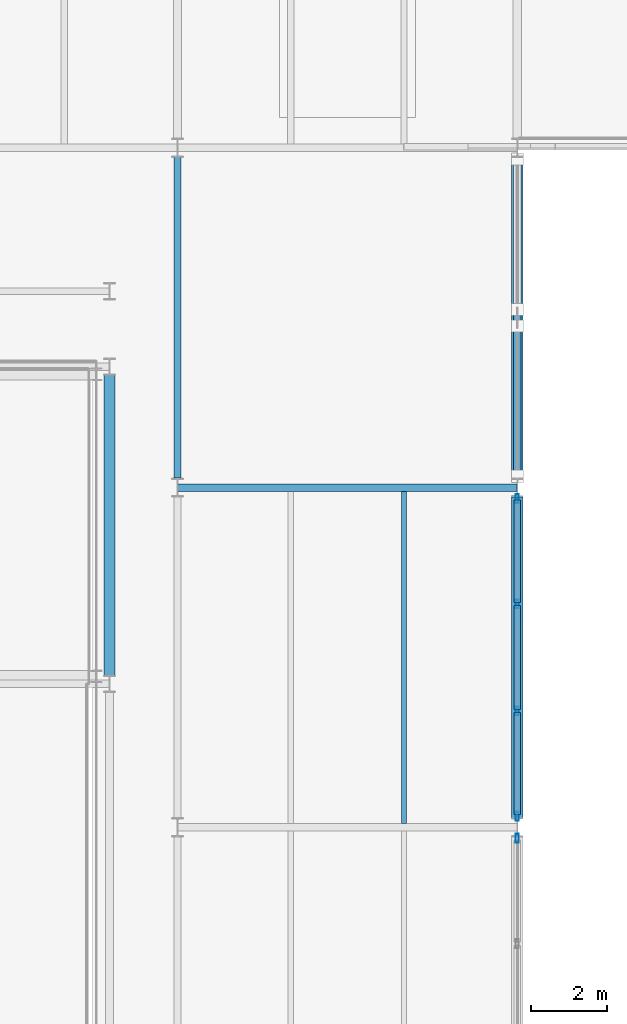
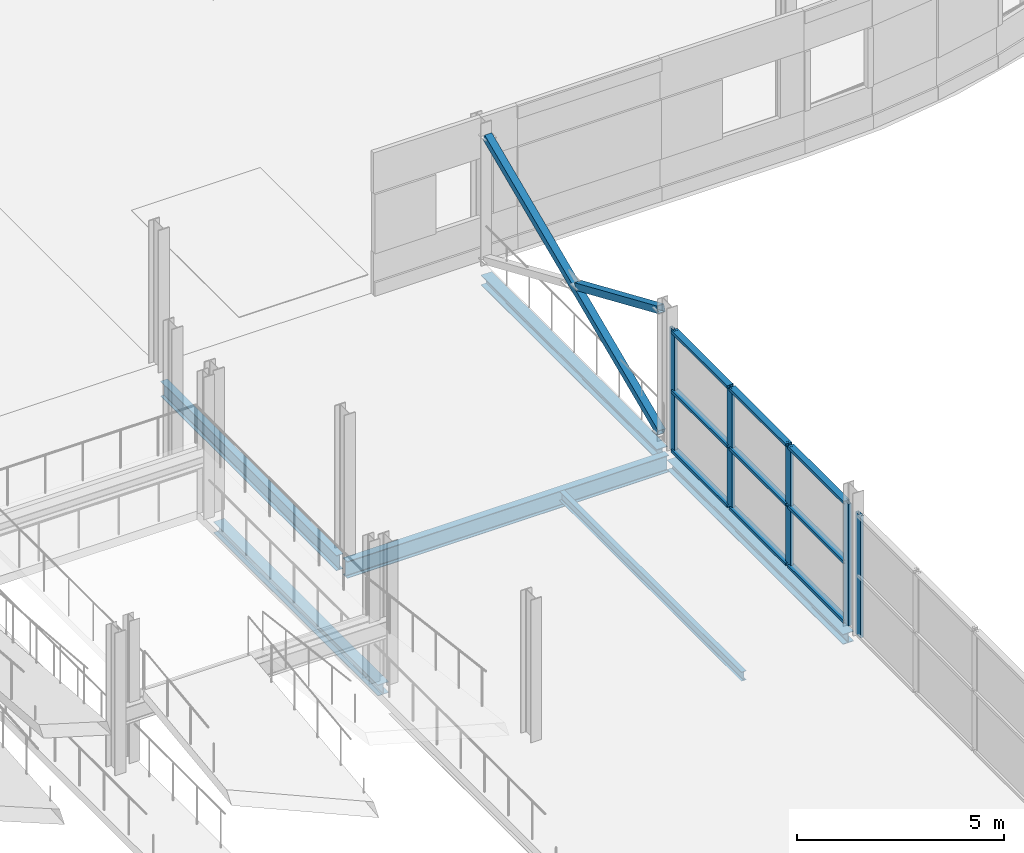
# One storey, part 77 of 132: 16 members, 6 beams, 2 elements without a shape of their own.
"""IFC4 building model written with IfcOpenShell, lengths in metres."""

import ifcopenshell
import ifcopenshell.guid

model = None  # the IFC model being written
_history = None  # IfcOwnerHistory: only IFC2X3 demands one
_inside = {}  # id of a spatial element -> (the spatial element, [elements in it])
_under = {}  # id of a project, library or spatial element -> (it, [spatial elements below it])
_declared = {}  # id of a project -> (the project, [libraries it declares])
_typed = {}  # id of a type object -> (the type object, [elements of that type])
_made_of = {}  # id of a material, layer set ... -> (it, [elements and type objects made of it])


def new_model(schema):
    """Start an empty IFC model of exactly this schema.

    Asked for "IFC4X3", IfcOpenShell would pick the latest addendum, in which some entities
    have other attributes; the version numbers below select the first issue.
    IFC2X3 requires an IfcOwnerHistory on every rooted entity: one is made here for all.
    """
    global model, _history
    if schema == "IFC4X3":
        model = ifcopenshell.file(schema_version=(4, 3, 0, 0))
    else:
        model = ifcopenshell.file(schema=schema)
    _inside.clear()
    _under.clear()
    _declared.clear()
    _typed.clear()
    _made_of.clear()
    _history = None
    if model.schema == "IFC2X3":
        org = make("IfcOrganization", Name="unknown")
        user = make(
            "IfcPersonAndOrganization",
            ThePerson=make("IfcPerson", FamilyName="unknown"),
            TheOrganization=org,
        )
        app = make(
            "IfcApplication",
            ApplicationDeveloper=org,
            Version="unknown",
            ApplicationFullName="unknown",
            ApplicationIdentifier="unknown",
        )
        _history = make(
            "IfcOwnerHistory",
            OwningUser=user,
            OwningApplication=app,
            ChangeAction="ADDED",
            CreationDate=0,
        )
    return model


def make(cls, **values):
    """One entity of the class cls with the attributes given. An attribute that is None is left unset."""
    return model.create_entity(
        cls, **{name: value for name, value in values.items() if value is not None}
    )


def rooted(cls, **values):
    """An entity with a GlobalId (a new one), such as an element, a storey or a relation."""
    return make(cls, GlobalId=ifcopenshell.guid.new(), OwnerHistory=_history, **values)


def si_unit(unit_type, name, prefix=None):
    """IfcSIUnit, for example si_unit("LENGTHUNIT", "METRE", prefix="MILLI")."""
    return make("IfcSIUnit", UnitType=unit_type, Prefix=prefix, Name=name)


def assignment(units):
    """IfcUnitAssignment: the units of a project."""
    return None if units is None else make("IfcUnitAssignment", Units=units)


def point(xyz):
    """IfcCartesianPoint."""
    return None if xyz is None else make("IfcCartesianPoint", Coordinates=xyz)


def direction(xyz):
    """IfcDirection."""
    return None if xyz is None else make("IfcDirection", DirectionRatios=xyz)


def frame(location, z_axis=None, x_axis=None):
    """IfcAxis2Placement3D, a coordinate frame: its origin and axes. An axis left out is left unset."""
    return make(
        "IfcAxis2Placement3D",
        Location=point(location),
        Axis=direction(z_axis),
        RefDirection=direction(x_axis),
    )


def frame_2d(location, x_axis=None):
    """IfcAxis2Placement2D, a coordinate frame in the plane: its origin and x axis."""
    return make(
        "IfcAxis2Placement2D", Location=point(location), RefDirection=direction(x_axis)
    )


def origin():
    """The frame at (0, 0, 0) with its axes left unset."""
    return frame((0.0, 0.0, 0.0))


def origin_2d():
    """The frame at (0, 0) in the plane with its x axis left unset."""
    return frame_2d((0.0, 0.0))


def place(relative_to, where):
    """IfcLocalPlacement: puts the frame where relative to a parent placement (None: the world)."""
    return make(
        "IfcLocalPlacement", PlacementRelTo=relative_to, RelativePlacement=where
    )


def context(
    kind, dimensions, precision=None, world=None, true_north=None, identifier=None
):
    """IfcGeometricRepresentationContext, for example the 3D "Model" context."""
    return make(
        "IfcGeometricRepresentationContext",
        ContextIdentifier=identifier,
        ContextType=kind,
        CoordinateSpaceDimension=dimensions,
        Precision=precision,
        WorldCoordinateSystem=world,
        TrueNorth=true_north,
    )


def subcontext(parent, identifier, kind, view, scale=None):
    """IfcGeometricRepresentationSubContext, for example "Body" below "Model"."""
    return make(
        "IfcGeometricRepresentationSubContext",
        ContextIdentifier=identifier,
        ContextType=kind,
        ParentContext=parent,
        TargetScale=scale,
        TargetView=view,
    )


def project(units=None, contexts=None):
    """IfcProject with its units and contexts."""
    return rooted(
        "IfcProject",
        Name="project",
        RepresentationContexts=contexts,
        UnitsInContext=assignment(units),
    )


def spatial(cls, under=None, at=None, **own):
    """A site, building, storey or space (cls), placed at a placement, below another one or the project."""
    s = rooted(cls, ObjectPlacement=at, **own)
    if under is not None:
        _under.setdefault(under.id(), (under, []))[1].append(s)
    return s


def profile(cls, at=None, kind="AREA", **sizes):
    """A parametric profile (cls). Its sizes go by their IFC names, for example OverallWidth=200.0."""
    return make(cls, ProfileType=kind, Position=at, **sizes)


def hollow_rectangle(**sizes):
    """IfcRectangleHollowProfileDef."""
    return profile("IfcRectangleHollowProfileDef", **sizes)


def i_section(**sizes):
    """IfcIShapeProfileDef."""
    return profile("IfcIShapeProfileDef", **sizes)


def extrude(swept, where, along, depth):
    """IfcExtrudedAreaSolid: the profile swept, set in the frame where, extruded along a direction by depth."""
    return make(
        "IfcExtrudedAreaSolid",
        SweptArea=swept,
        Position=where,
        ExtrudedDirection=direction(along),
        Depth=depth,
    )


def shape(context_of_items, identifier, shape_type, items):
    """IfcShapeRepresentation: the items that make up one representation, for example the "Body"."""
    return make(
        "IfcShapeRepresentation",
        ContextOfItems=context_of_items,
        RepresentationIdentifier=identifier,
        RepresentationType=shape_type,
        Items=items,
    )


def material(Name=None, Category=None):
    """IfcMaterial."""
    return make("IfcMaterial", Name=Name, Category=Category)


def layer(
    of_material, thickness, ventilated=None, Name=None, Category=None, Priority=None
):
    """IfcMaterialLayer: one layer of a wall or slab, of a material (None: an air gap)."""
    return make(
        "IfcMaterialLayer",
        Material=of_material,
        LayerThickness=thickness,
        IsVentilated=ventilated,
        Name=Name,
        Category=Category,
        Priority=Priority,
    )


def layer_set(layers, Name=None):
    """IfcMaterialLayerSet."""
    return make("IfcMaterialLayerSet", MaterialLayers=layers, LayerSetName=Name)


def material_profile(
    of_material, cross_section, Name=None, Category=None, Priority=None
):
    """IfcMaterialProfile: a cross section and its material."""
    return make(
        "IfcMaterialProfile",
        Name=Name,
        Material=of_material,
        Profile=cross_section,
        Priority=Priority,
        Category=Category,
    )


def profile_set(profiles, Name=None, composite=None):
    """IfcMaterialProfileSet."""
    return make(
        "IfcMaterialProfileSet",
        Name=Name,
        MaterialProfiles=profiles,
        CompositeProfile=composite,
    )


def made_of(thing, what):
    """Note that an element or type object is made of a material, layer set ...; save() writes the relation."""
    if what is not None:
        _made_of.setdefault(what.id(), (what, []))[1].append(thing)
    return thing


def type_object(cls, material=None, **own):
    """A type object (cls), such as IfcWallType, which elements share."""
    return made_of(rooted(cls, **own), material)


def element(
    cls,
    number,
    at=None,
    inside=None,
    cuts=None,
    type_object=None,
    material=None,
    context=None,
    identifier="Body",
    shape_type=None,
    held_by="IfcProductDefinitionShape",
    body=None,
    shapes=None,
    **own,
):
    """One element of the class cls, such as IfcWall. Its Tag is "e" and its number.

    at: its placement. inside: the storey or other place that contains it. cuts: it is an
    opening in that element (IfcRelVoidsElement). A single representation is given by context,
    identifier, shape_type and body (its items); several are given by shapes. held_by: the class
    of the entity that holds the representations. save() writes the other relations.
    """
    e = rooted(cls, Tag="e%d" % number, ObjectPlacement=at, **own)
    if body is not None:
        shapes = [shape(context, identifier, shape_type, body)]
    if shapes is not None:
        e.Representation = make(held_by, Representations=shapes)
    if inside is not None:
        _inside.setdefault(inside.id(), (inside, []))[1].append(e)
    if cuts is not None:
        rooted(
            "IfcRelVoidsElement", RelatingBuildingElement=cuts, RelatedOpeningElement=e
        )
    if type_object is not None:
        _typed.setdefault(type_object.id(), (type_object, []))[1].append(e)
    return made_of(e, material)


def aggregate(whole, parts):
    """IfcRelAggregates: a whole, such as a stair, and the parts it consists of."""
    return rooted("IfcRelAggregates", RelatingObject=whole, RelatedObjects=parts)


def save(model, path):
    """Write the relations noted so far, then the file.

    IfcRelAggregates (storeys below a building ...), IfcRelContainedInSpatialStructure (elements
    in a storey), IfcRelDefinesByType, IfcRelAssociatesMaterial and IfcRelDeclares: one each for
    every whole, place, type object, material and project.
    """
    for whole, parts in _under.values():
        aggregate(whole, parts)
    for where, things in _inside.values():
        rooted(
            "IfcRelContainedInSpatialStructure",
            RelatedElements=things,
            RelatingStructure=where,
        )
    for kind, things in _typed.values():
        rooted("IfcRelDefinesByType", RelatedObjects=things, RelatingType=kind)
    for what, things in _made_of.values():
        rooted("IfcRelAssociatesMaterial", RelatedObjects=things, RelatingMaterial=what)
    for by, libraries in _declared.values():
        rooted("IfcRelDeclares", RelatingContext=by, RelatedDefinitions=libraries)
    model.write(path)


model = new_model("IFC4")

# Units and contexts
model_context = context("Model", 3, precision=1e-05, world=origin(), true_north=direction((0.0, 1.0)))
body_context = subcontext(model_context, "Body", "Model", "MODEL_VIEW")
ifc_project = project(units=[si_unit("LENGTHUNIT", "METRE"), si_unit("AREAUNIT", "SQUARE_METRE"), si_unit("VOLUMEUNIT", "CUBIC_METRE"), si_unit("PLANEANGLEUNIT", "RADIAN"), si_unit("MASSUNIT", "GRAM", prefix="KILO")], contexts=[model_context])

# Site, building, storey
site_placement = place(None, origin())
site = spatial("IfcSite", under=ifc_project, at=site_placement, CompositionType="ELEMENT")
building_placement = place(site_placement, origin())
building = spatial("IfcBuilding", under=site, at=building_placement, Name="Deido Ridge Mobility Hub", CompositionType="ELEMENT")
storey_placement = place(building_placement, frame((0.0, 0.0, 8.39990234375)))
storey = spatial("IfcBuildingStorey", under=building, at=storey_placement, Name="L02", CompositionType="ELEMENT", Elevation=8.39990234375)

# Beams
ifc_material_1 = material(Name="Steel S355J2 EN 10025-2", Category="steel")
ifc_material_profile_1 = material_profile(ifc_material_1, i_section(OverallWidth=0.300048828125, OverallDepth=0.330078125, WebThickness=0.009521484375, FlangeThickness=0.0166015625, FilletRadius=0.027099609375, at=origin_2d()), Name="HEA 340")
ifc_profile_set_1 = profile_set([ifc_material_profile_1], Name="Steel S355J2 EN 10025-2")
beam_type_1 = type_object("IfcBeamType", Name="BM-HEA340", PredefinedType="BEAM", material=ifc_profile_set_1)
beam_1_placement = place(storey_placement, frame((97.199951171875, 67.02490234375, -0.419921875), z_axis=(0.0, 1.0, 0.0), x_axis=(-1.0, 0.0, 0.0)))
element("IfcBeam", 1, at=beam_1_placement, inside=storey, type_object=beam_type_1, Name="Floor beam B6", PredefinedType="BEAM", context=body_context, shape_type="SweptSolid", body=[
    extrude(i_section(OverallWidth=0.300048828125, OverallDepth=0.330078125, WebThickness=0.009521484375, FlangeThickness=0.0166015625, FilletRadius=0.027099609375, at=origin_2d()), origin(), (0.0, 0.0, 1.0), 7.9501953125),
])
ifc_material_profile_2 = material_profile(ifc_material_1, i_section(OverallWidth=0.18994140625, OverallDepth=0.449951171875, WebThickness=0.009521484375, FlangeThickness=0.0146484375, FilletRadius=0.02099609375, at=origin_2d()), Name="IPE 450")
ifc_profile_set_2 = profile_set([ifc_material_profile_2], Name="Steel S355J2 EN 10025-2")
beam_type_2 = type_object("IfcBeamType", Name="BM-IPE450", PredefinedType="BEAM", material=ifc_profile_set_2)
beam_2_placement = place(storey_placement, frame((99.0, 72.25, -0.47998046875), z_axis=(0.0, 1.0, 0.0), x_axis=(-1.0, 0.0, 0.0)))
element("IfcBeam", 2, at=beam_2_placement, inside=storey, type_object=beam_type_2, Name="Floor beam B4", PredefinedType="BEAM", context=body_context, shape_type="SweptSolid", body=[
    extrude(i_section(OverallWidth=0.18994140625, OverallDepth=0.449951171875, WebThickness=0.009521484375, FlangeThickness=0.0146484375, FilletRadius=0.02099609375, at=origin_2d()), origin(), (0.0, 0.0, 1.0), 8.5),
])
ifc_material_profile_3 = material_profile(ifc_material_1, i_section(OverallWidth=0.199951171875, OverallDepth=0.5, WebThickness=0.01025390625, FlangeThickness=0.01611328125, FilletRadius=0.02099609375, at=origin_2d()), Name="IPE 500")
ifc_profile_set_3 = profile_set([ifc_material_profile_3], Name="Steel S355J2 EN 10025-2")
beam_type_3 = type_object("IfcBeamType", Name="BM-IPE500", PredefinedType="BEAM", material=ifc_profile_set_3)
beam_3_placement = place(storey_placement, frame((99.007080078125, 72.0, -0.5048828125), z_axis=(1.0, 0.0, 0.0), x_axis=(0.0, 1.0, 0.0)))
element("IfcBeam", 3, at=beam_3_placement, inside=storey, type_object=beam_type_3, Name="Floor beam B3", PredefinedType="BEAM", context=body_context, shape_type="SweptSolid", body=[
    extrude(i_section(OverallWidth=0.199951171875, OverallDepth=0.5, WebThickness=0.01025390625, FlangeThickness=0.01611328125, FilletRadius=0.02099609375, at=origin_2d()), origin(), (0.0, 0.0, 1.0), 8.98583984375),
])
ifc_material_profile_4 = material_profile(ifc_material_1, i_section(OverallWidth=0.135009765625, OverallDepth=0.27001953125, WebThickness=0.006591796875, FlangeThickness=0.01025390625, FilletRadius=0.014892578125, at=origin_2d()), Name="IPE 270")
ifc_profile_set_4 = profile_set([ifc_material_profile_4], Name="Steel S355J2 EN 10025-2")
beam_type_4 = type_object("IfcBeamType", Name="JST-IPE270", PredefinedType="JOIST", material=ifc_profile_set_4)
beam_4_placement = place(storey_placement, frame((105.0, 63.10009765625, -0.389892578125), z_axis=(0.0, 1.0, 0.0), x_axis=(-1.0, 0.0, 0.0)))
element("IfcBeam", 4, at=beam_4_placement, inside=storey, type_object=beam_type_4, Name="Composite joist J4", PredefinedType="JOIST", context=body_context, shape_type="SweptSolid", body=[
    extrude(i_section(OverallWidth=0.135009765625, OverallDepth=0.27001953125, WebThickness=0.006591796875, FlangeThickness=0.01025390625, FilletRadius=0.014892578125, at=origin_2d()), origin(), (0.0, 0.0, 1.0), 8.7998046875),
])

# Members
ifc_material_2 = material(Name="Steel S355J2H EN 10210-1", Category="steel")
ifc_material_profile_5 = material_profile(ifc_material_2, hollow_rectangle(XDim=0.199951171875, YDim=0.199951171875, WallThickness=0.010009765625, at=origin_2d()), Name="SHS 200x200x10")
ifc_profile_set_5 = profile_set([ifc_material_profile_5], Name="Steel S355J2H EN 10210-1")
member_type_1 = type_object("IfcMemberType", Name="MEM-BRC-SHS200", PredefinedType="BRACE", material=ifc_profile_set_5)
member_1_placement = place(storey_placement, frame((108.0, 72.300048828125, 0.18017578125), z_axis=(0.0, 0.917558219799, 0.397601450299), x_axis=(-1.0, 0.0, 0.0)))
element("IfcMember", 5, at=member_1_placement, inside=storey, type_object=member_type_1, Name="Continuous X-brace diagonal BR3", PredefinedType="BRACE", context=body_context, shape_type="SweptSolid", body=[
    extrude(hollow_rectangle(XDim=0.199951171875, YDim=0.199951171875, WallThickness=0.010009765625, at=origin_2d()), origin(), (0.0, 0.0, 1.0), 9.154541015625),
])
member_2_placement = place(storey_placement, frame((108.0, 76.27978515625, 2.095458984375), z_axis=(0.0, -0.917550833654, 0.397618495119), x_axis=(1.0, 0.0, 0.0)))
element("IfcMember", 6, at=member_2_placement, inside=storey, type_object=member_type_1, Name="Split X-brace diagonal segment BR3", PredefinedType="BRACE", context=body_context, shape_type="SweptSolid", body=[
    extrude(hollow_rectangle(XDim=0.199951171875, YDim=0.199951171875, WallThickness=0.010009765625, at=origin_2d()), origin(), (0.0, 0.0, 1.0), 4.33740234375),
])

# Curtain wall, member
ifc_material_3 = material(Name="Anodised aluminium EN AW-6063 T6", Category="aluminium")
ifc_layer = layer(ifc_material_3, 0.239990234375, Name="Anodised aluminium EN AW-6063 T6")
ifc_layer_set = layer_set([ifc_layer], Name="Anodised aluminium EN AW-6063 T6")
curtain_wall_type = type_object("IfcCurtainWallType", Name="CW-UF-6", PredefinedType="USERDEFINED", material=ifc_layer_set)
curtain_wall_1_placement = place(storey_placement, origin())
curtain_wall_1 = element("IfcCurtainWall", 7, at=curtain_wall_1_placement, inside=storey, type_object=curtain_wall_type, Name="Unitised curtain wall CW6", ObjectType="UNITISED FACADE", PredefinedType="USERDEFINED")
ifc_material_profile_6 = material_profile(ifc_material_3, hollow_rectangle(XDim=0.0849609375, YDim=0.235107421875, WallThickness=0.00390625, at=origin_2d()), Name="RHS 85x235x4")
ifc_profile_set_6 = profile_set([ifc_material_profile_6], Name="Anodised aluminium EN AW-6063 T6")
member_type_2 = type_object("IfcMemberType", Name="MEM-MUL-85X235", PredefinedType="MULLION", material=ifc_profile_set_6)
member_3_placement = place(storey_placement, frame((108.0, 62.70751953125, 0.0), z_axis=(0.0, 0.0, 1.0), x_axis=(-1.0, 0.0, 0.0)))
member_3 = element("IfcMember", 8, at=member_3_placement, type_object=member_type_2, Name="CW6 mullion 4", PredefinedType="MULLION", context=body_context, shape_type="SweptSolid", body=[
    extrude(hollow_rectangle(XDim=0.0849609375, YDim=0.235107421875, WallThickness=0.00390625, at=origin_2d()), origin(), (0.0, 0.0, 1.0), 3.60009765625),
])
aggregate(curtain_wall_1, [member_3])

# Curtain wall, members
curtain_wall_2_placement = place(storey_placement, origin())
curtain_wall_2 = element("IfcCurtainWall", 9, at=curtain_wall_2_placement, inside=storey, type_object=curtain_wall_type, Name="Unitised curtain wall CW6", ObjectType="UNITISED FACADE", PredefinedType="USERDEFINED")
member_4_placement = place(storey_placement, frame((108.0, 63.29248046875, 0.0), z_axis=(0.0, 0.0, 1.0), x_axis=(-1.0, 0.0, 0.0)))
member_4 = element("IfcMember", 10, at=member_4_placement, type_object=member_type_2, Name="CW6 mullion 1", PredefinedType="MULLION", context=body_context, shape_type="SweptSolid", body=[
    extrude(hollow_rectangle(XDim=0.0849609375, YDim=0.235107421875, WallThickness=0.00390625, at=origin_2d()), origin(), (0.0, 0.0, 1.0), 3.60009765625),
])
member_5_placement = place(storey_placement, frame((108.0, 66.083251953125, 0.0), z_axis=(0.0, 0.0, 1.0), x_axis=(-1.0, 0.0, 0.0)))
member_5 = element("IfcMember", 11, at=member_5_placement, type_object=member_type_2, Name="CW6 mullion 2", PredefinedType="MULLION", context=body_context, shape_type="SweptSolid", body=[
    extrude(hollow_rectangle(XDim=0.0849609375, YDim=0.235107421875, WallThickness=0.00390625, at=origin_2d()), origin(), (0.0, 0.0, 1.0), 3.60009765625),
])
member_6_placement = place(storey_placement, frame((108.0, 68.916748046875, 0.0), z_axis=(0.0, 0.0, 1.0), x_axis=(-1.0, 0.0, 0.0)))
member_6 = element("IfcMember", 12, at=member_6_placement, type_object=member_type_2, Name="CW6 mullion 3", PredefinedType="MULLION", context=body_context, shape_type="SweptSolid", body=[
    extrude(hollow_rectangle(XDim=0.0849609375, YDim=0.235107421875, WallThickness=0.00390625, at=origin_2d()), origin(), (0.0, 0.0, 1.0), 3.60009765625),
])
member_7_placement = place(storey_placement, frame((108.0, 71.70751953125, 0.0), z_axis=(0.0, 0.0, 1.0), x_axis=(-1.0, 0.0, 0.0)))
member_7 = element("IfcMember", 13, at=member_7_placement, type_object=member_type_2, Name="CW6 mullion 4", PredefinedType="MULLION", context=body_context, shape_type="SweptSolid", body=[
    extrude(hollow_rectangle(XDim=0.0849609375, YDim=0.235107421875, WallThickness=0.00390625, at=origin_2d()), origin(), (0.0, 0.0, 1.0), 3.60009765625),
])
ifc_material_profile_7 = material_profile(ifc_material_3, hollow_rectangle(XDim=0.175048828125, YDim=0.0849609375, WallThickness=0.00390625, at=origin_2d()), Name="RHS 175x85x4")
ifc_profile_set_7 = profile_set([ifc_material_profile_7], Name="Anodised aluminium EN AW-6063 T6")
member_type_3 = type_object("IfcMemberType", Name="MEM-TRN-175X85", PredefinedType="USERDEFINED", material=ifc_profile_set_7)
member_8_placement = place(storey_placement, frame((108.0, 63.3349609375, 0.04248046875), z_axis=(0.0, 1.0, 0.0), x_axis=(-1.0, 0.0, 0.0)))
member_8 = element("IfcMember", 14, at=member_8_placement, type_object=member_type_3, Name="CW6 transom 1.1", ObjectType="TRANSOM", PredefinedType="USERDEFINED", context=body_context, shape_type="SweptSolid", body=[
    extrude(hollow_rectangle(XDim=0.175048828125, YDim=0.0849609375, WallThickness=0.00390625, at=origin_2d()), origin(), (0.0, 0.0, 1.0), 2.705810546875),
])
member_9_placement = place(storey_placement, frame((108.0, 63.3349609375, 1.800048828125), z_axis=(0.0, 1.0, 0.0), x_axis=(-1.0, 0.0, 0.0)))
member_9 = element("IfcMember", 15, at=member_9_placement, type_object=member_type_3, Name="CW6 transom 1.2", ObjectType="TRANSOM", PredefinedType="USERDEFINED", context=body_context, shape_type="SweptSolid", body=[
    extrude(hollow_rectangle(XDim=0.175048828125, YDim=0.0849609375, WallThickness=0.00390625, at=origin_2d()), origin(), (0.0, 0.0, 1.0), 2.705810546875),
])
member_10_placement = place(storey_placement, frame((108.0, 63.3349609375, 3.5576171875), z_axis=(0.0, 1.0, 0.0), x_axis=(-1.0, 0.0, 0.0)))
member_10 = element("IfcMember", 16, at=member_10_placement, type_object=member_type_3, Name="CW6 transom 1.3", ObjectType="TRANSOM", PredefinedType="USERDEFINED", context=body_context, shape_type="SweptSolid", body=[
    extrude(hollow_rectangle(XDim=0.175048828125, YDim=0.0849609375, WallThickness=0.00390625, at=origin_2d()), origin(), (0.0, 0.0, 1.0), 2.705810546875),
])
member_11_placement = place(storey_placement, frame((108.0, 66.125732421875, 0.04248046875), z_axis=(0.0, 1.0, 0.0), x_axis=(-1.0, 0.0, 0.0)))
member_11 = element("IfcMember", 17, at=member_11_placement, type_object=member_type_3, Name="CW6 transom 2.1", ObjectType="TRANSOM", PredefinedType="USERDEFINED", context=body_context, shape_type="SweptSolid", body=[
    extrude(hollow_rectangle(XDim=0.175048828125, YDim=0.0849609375, WallThickness=0.00390625, at=origin_2d()), origin(), (0.0, 0.0, 1.0), 2.74853515625),
])
member_12_placement = place(storey_placement, frame((108.0, 66.125732421875, 1.800048828125), z_axis=(0.0, 1.0, 0.0), x_axis=(-1.0, 0.0, 0.0)))
member_12 = element("IfcMember", 18, at=member_12_placement, type_object=member_type_3, Name="CW6 transom 2.2", ObjectType="TRANSOM", PredefinedType="USERDEFINED", context=body_context, shape_type="SweptSolid", body=[
    extrude(hollow_rectangle(XDim=0.175048828125, YDim=0.0849609375, WallThickness=0.00390625, at=origin_2d()), origin(), (0.0, 0.0, 1.0), 2.74853515625),
])
member_13_placement = place(storey_placement, frame((108.0, 66.125732421875, 3.5576171875), z_axis=(0.0, 1.0, 0.0), x_axis=(-1.0, 0.0, 0.0)))
member_13 = element("IfcMember", 19, at=member_13_placement, type_object=member_type_3, Name="CW6 transom 2.3", ObjectType="TRANSOM", PredefinedType="USERDEFINED", context=body_context, shape_type="SweptSolid", body=[
    extrude(hollow_rectangle(XDim=0.175048828125, YDim=0.0849609375, WallThickness=0.00390625, at=origin_2d()), origin(), (0.0, 0.0, 1.0), 2.74853515625),
])
member_14_placement = place(storey_placement, frame((108.0, 68.959228515625, 0.04248046875), z_axis=(0.0, 1.0, 0.0), x_axis=(-1.0, 0.0, 0.0)))
member_14 = element("IfcMember", 20, at=member_14_placement, type_object=member_type_3, Name="CW6 transom 3.1", ObjectType="TRANSOM", PredefinedType="USERDEFINED", context=body_context, shape_type="SweptSolid", body=[
    extrude(hollow_rectangle(XDim=0.175048828125, YDim=0.0849609375, WallThickness=0.00390625, at=origin_2d()), origin(), (0.0, 0.0, 1.0), 2.705810546875),
])
member_15_placement = place(storey_placement, frame((108.0, 68.959228515625, 1.800048828125), z_axis=(0.0, 1.0, 0.0), x_axis=(-1.0, 0.0, 0.0)))
member_15 = element("IfcMember", 21, at=member_15_placement, type_object=member_type_3, Name="CW6 transom 3.2", ObjectType="TRANSOM", PredefinedType="USERDEFINED", context=body_context, shape_type="SweptSolid", body=[
    extrude(hollow_rectangle(XDim=0.175048828125, YDim=0.0849609375, WallThickness=0.00390625, at=origin_2d()), origin(), (0.0, 0.0, 1.0), 2.705810546875),
])
member_16_placement = place(storey_placement, frame((108.0, 68.959228515625, 3.5576171875), z_axis=(0.0, 1.0, 0.0), x_axis=(-1.0, 0.0, 0.0)))
member_16 = element("IfcMember", 22, at=member_16_placement, type_object=member_type_3, Name="CW6 transom 3.3", ObjectType="TRANSOM", PredefinedType="USERDEFINED", context=body_context, shape_type="SweptSolid", body=[
    extrude(hollow_rectangle(XDim=0.175048828125, YDim=0.0849609375, WallThickness=0.00390625, at=origin_2d()), origin(), (0.0, 0.0, 1.0), 2.705810546875),
])
aggregate(curtain_wall_2, [member_4, member_5, member_6, member_7, member_8, member_9, member_10, member_11, member_12, member_13, member_14, member_15, member_16])

# Beams
ifc_material_profile_8 = material_profile(ifc_material_1, i_section(OverallWidth=0.300048828125, OverallDepth=0.300048828125, WebThickness=0.010986328125, FlangeThickness=0.01904296875, FilletRadius=0.027099609375, at=origin_2d()), Name="HEB 300")
ifc_profile_set_8 = profile_set([ifc_material_profile_8], Name="Steel S355J2 EN 10025-2")
beam_type_5 = type_object("IfcBeamType", Name="SPD-HEB300", PredefinedType="SPANDREL", material=ifc_profile_set_8)
for number, where, z_axis, x_axis, name in (
    (23, (108.0, 63.25, -0.40478515625), (0.0, 1.0, 0.0), (-1.0, 0.0, 0.0), "Floor beam SP1"),
    (24, (108.0, 72.25, -0.40478515625), (0.0, 1.0, 0.0), (-1.0, 0.0, 0.0), "Floor beam SP1"),
):
    element("IfcBeam", number, at=place(storey_placement, frame(where, z_axis=z_axis, x_axis=x_axis)), inside=storey, type_object=beam_type_5, Name=name, PredefinedType="SPANDREL", context=body_context, shape_type="SweptSolid", body=[
        extrude(i_section(OverallWidth=0.300048828125, OverallDepth=0.300048828125, WebThickness=0.010986328125, FlangeThickness=0.01904296875, FilletRadius=0.027099609375, at=origin_2d()), origin(), (0.0, 0.0, 1.0), 8.5),
    ])

save(model, "model.ifc")
